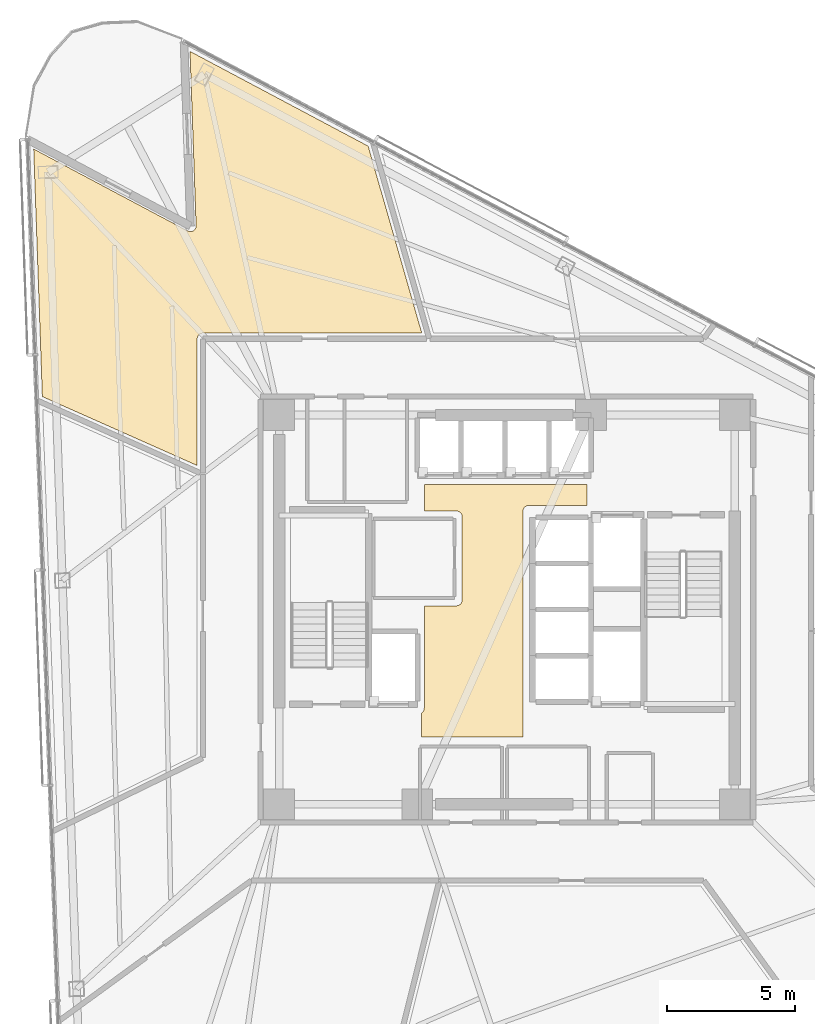
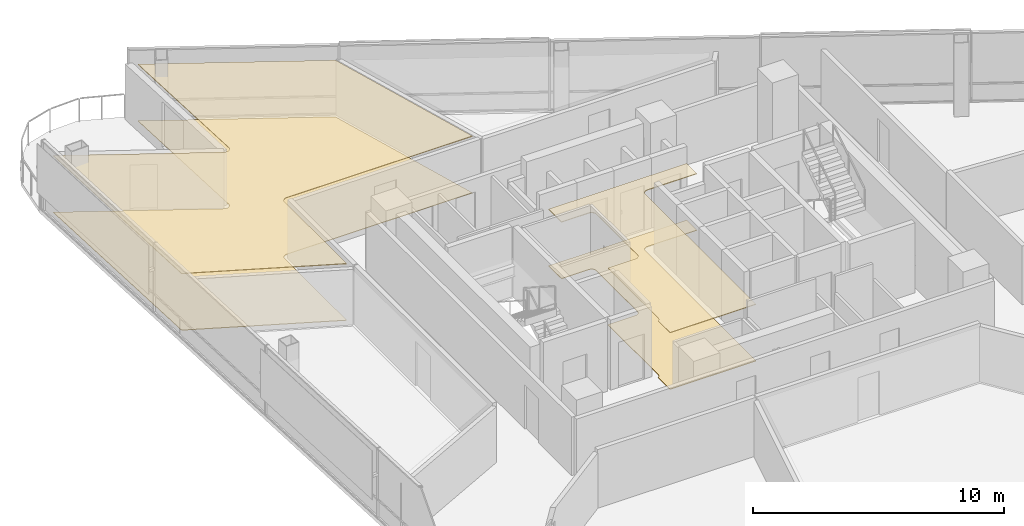
# One storey, part 19 of 21: 4 coverings.
"""IFC4 building model written with IfcOpenShell, lengths in metres."""

from ifc_helpers import new_model, si_unit, direction, frame, origin, place, context, subcontext, project, spatial, polyline, outline, extrude, material, layer, layer_set, type_object, element, save


model = new_model("IFC4")

# Units and contexts
model_context = context("Model", 3, precision=1e-05, world=origin(), true_north=direction((0.0, 1.0)))
body_context = subcontext(model_context, "Body", "Model", "MODEL_VIEW")
ifc_project = project(units=[si_unit("LENGTHUNIT", "METRE"), si_unit("AREAUNIT", "SQUARE_METRE"), si_unit("VOLUMEUNIT", "CUBIC_METRE"), si_unit("PLANEANGLEUNIT", "RADIAN"), si_unit("MASSUNIT", "GRAM", prefix="KILO")], contexts=[model_context])

# Site, building, storey
site_placement = place(None, origin())
site = spatial("IfcSite", under=ifc_project, at=site_placement, CompositionType="ELEMENT")
building_placement = place(site_placement, origin())
building = spatial("IfcBuilding", under=site, at=building_placement, Name="Tharavind Bronze Gate", CompositionType="ELEMENT")
storey_placement = place(building_placement, frame((0.0, 0.0, 142.39990234375)))
storey = spatial("IfcBuildingStorey", under=building, at=storey_placement, Name="L36", CompositionType="ELEMENT", Elevation=142.39990234375)

# Coverings
ifc_material_1 = material(Name="Perforated Bronze Acoustic Panel", Category="bronze")
ifc_layer_1 = layer(ifc_material_1, 0.044921875)
ifc_layer_set_1 = layer_set([ifc_layer_1], Name="Perforated Bronze Acoustic Panel")
covering_type_1 = type_object("IfcCoveringType", Name="ACOUSTIC BRONZE BAFFLE CEILING", PredefinedType="CEILING", material=ifc_layer_set_1)
covering_1_placement = place(storey_placement, frame((0.0, 0.0, 2.75)))
element("IfcCovering", 1, at=covering_1_placement, inside=storey, type_object=covering_type_1, Name="L36-C-LL suspended ceiling", PredefinedType="CEILING", context=body_context, shape_type="SweptSolid", body=[
    extrude(outline(polyline([(-3.330078125, -4.97998046875), (0.6298828125, -4.97998046875), (0.6298828125, 3.85009765625), (0.631103515625, 3.87158203125), (0.63427734375, 3.892822265625), (0.639404296875, 3.913818359375), (0.646728515625, 3.93408203125), (0.656005859375, 3.95361328125), (0.6669921875, 3.97216796875), (0.679931640625, 3.989501953125), (0.6943359375, 4.005615234375), (0.71044921875, 4.02001953125), (0.727783203125, 4.032958984375), (0.746337890625, 4.0439453125), (0.765869140625, 4.05322265625), (0.7861328125, 4.060546875), (0.80712890625, 4.06591796875), (0.828369140625, 4.06884765625), (0.85009765625, 4.070068359375), (3.1298828125, 4.070068359375), (3.1298828125, 4.8798828125), (-3.22998046875, 4.8798828125), (-3.22998046875, 3.85009765625), (-1.969970703125, 3.85009765625), (-1.948486328125, 3.848876953125), (-1.927001953125, 3.845703125), (-1.906005859375, 3.840576171875), (-1.8857421875, 3.833251953125), (-1.8662109375, 3.823974609375), (-1.847900390625, 3.81298828125), (-1.830322265625, 3.800048828125), (-1.814453125, 3.78564453125), (-1.7998046875, 3.76953125), (-1.787109375, 3.752197265625), (-1.77587890625, 3.733642578125), (-1.7666015625, 3.714111328125), (-1.759521484375, 3.69384765625), (-1.754150390625, 3.6728515625), (-1.751220703125, 3.651611328125), (-1.75, 3.6298828125), (-1.75, 0.3701171875), (-1.751220703125, 0.348388671875), (-1.754150390625, 0.3271484375), (-1.759521484375, 0.30615234375), (-1.7666015625, 0.285888671875), (-1.77587890625, 0.266357421875), (-1.787109375, 0.247802734375), (-1.7998046875, 0.23046875), (-1.814453125, 0.21435546875), (-1.830322265625, 0.199951171875), (-1.847900390625, 0.18701171875), (-1.8662109375, 0.176025390625), (-1.8857421875, 0.166748046875), (-1.906005859375, 0.159423828125), (-1.927001953125, 0.154296875), (-1.948486328125, 0.151123046875), (-1.969970703125, 0.14990234375), (-3.22998046875, 0.14990234375), (-3.22998046875, -3.85009765625), (-3.231201171875, -3.87158203125), (-3.234130859375, -3.892822265625), (-3.239501953125, -3.913818359375), (-3.24658203125, -3.93408203125), (-3.256103515625, -3.95361328125), (-3.26708984375, -3.97216796875), (-3.27978515625, -3.989501953125), (-3.29443359375, -4.005615234375), (-3.310302734375, -4.02001953125), (-3.327880859375, -4.032958984375), (-3.330078125, -4.0341796875), (-3.330078125, -4.97998046875)])), origin(), (0.0, 0.0, 1.0), 0.03515625),
])
ifc_material_2 = material(Name="Engineered Oak & Carpet Tile", Category="wood")
ifc_layer_2 = layer(ifc_material_2, 0.02490234375)
ifc_layer_set_2 = layer_set([ifc_layer_2], Name="Engineered Oak & Carpet Tile")
covering_type_2 = type_object("IfcCoveringType", Name="ENGINEERED TIMBER FLOORING", PredefinedType="FLOORING", material=ifc_layer_set_2)
covering_2_placement = place(storey_placement, origin())
element("IfcCovering", 2, at=covering_2_placement, inside=storey, type_object=covering_type_2, Name="L36-RM-02 floor finish", PredefinedType="FLOORING", context=body_context, shape_type="SweptSolid", body=[
    extrude(outline(polyline([(-18.14892578125, 8.3212890625), (-12.10009765625, 5.628173828125), (-12.10009765625, 10.579345703125), (-12.099609375, 10.590087890625), (-12.099609375, 10.5908203125), (-12.09765625, 10.6123046875), (-12.093505859375, 10.63330078125), (-12.087158203125, 10.654052734375), (-12.078857421875, 10.674072265625), (-12.068603515625, 10.693115234375), (-12.056640625, 10.7109375), (-12.04296875, 10.727783203125), (-12.027587890625, 10.742919921875), (-12.010986328125, 10.756591796875), (-11.9931640625, 10.768798828125), (-11.97412109375, 10.77880859375), (-11.9541015625, 10.787109375), (-11.933349609375, 10.79345703125), (-11.912353515625, 10.797607421875), (-11.890869140625, 10.7998046875), (-11.89013671875, 10.7998046875), (-11.87939453125, 10.800048828125), (-3.32568359375, 10.800048828125), (-5.420654296875, 18.10595703125), (-12.380615234375, 21.806884765625), (-12.142822265625, 14.99267578125), (-12.142578125, 14.981689453125), (-12.142578125, 14.981201171875), (-12.14404296875, 14.959228515625), (-12.147705078125, 14.9375), (-12.1533203125, 14.91650390625), (-12.1611328125, 14.89599609375), (-12.1708984375, 14.876220703125), (-12.1826171875, 14.857666015625), (-12.1962890625, 14.84033203125), (-12.21142578125, 14.82470703125), (-12.22802734375, 14.810302734375), (-12.24609375, 14.7978515625), (-12.26513671875, 14.787109375), (-12.285400390625, 14.7783203125), (-12.30615234375, 14.771728515625), (-12.32763671875, 14.76708984375), (-12.349609375, 14.7646484375), (-12.371337890625, 14.764404296875), (-12.393310546875, 14.7666015625), (-12.414794921875, 14.7705078125), (-12.435791015625, 14.77685546875), (-12.4560546875, 14.78515625), (-12.45654296875, 14.785400390625), (-12.46630859375, 14.790283203125), (-18.486572265625, 17.991455078125), (-18.14892578125, 8.3212890625)])), origin(), (0.0, 0.0, 1.0), 0.025146484375),
])
ifc_material_3 = material(Name="Acoustic Gypsum Board", Category="gypsum")
ifc_layer_3 = layer(ifc_material_3, 0.030029296875)
ifc_layer_set_3 = layer_set([ifc_layer_3], Name="Acoustic Gypsum Board")
covering_type_3 = type_object("IfcCoveringType", Name="GYPSUM SUSPENDED CEILING", PredefinedType="CEILING", material=ifc_layer_set_3)
covering_3_placement = place(storey_placement, frame((0.0, 0.0, 2.75)))
element("IfcCovering", 3, at=covering_3_placement, inside=storey, type_object=covering_type_3, Name="L36-RM-02 suspended ceiling", PredefinedType="CEILING", context=body_context, shape_type="SweptSolid", body=[
    extrude(outline(polyline([(-18.14892578125, 8.3212890625), (-12.10009765625, 5.628173828125), (-12.10009765625, 10.579345703125), (-12.099609375, 10.590087890625), (-12.099609375, 10.5908203125), (-12.09765625, 10.6123046875), (-12.093505859375, 10.63330078125), (-12.087158203125, 10.654052734375), (-12.078857421875, 10.674072265625), (-12.068603515625, 10.693115234375), (-12.056640625, 10.7109375), (-12.04296875, 10.727783203125), (-12.027587890625, 10.742919921875), (-12.010986328125, 10.756591796875), (-11.9931640625, 10.768798828125), (-11.97412109375, 10.77880859375), (-11.9541015625, 10.787109375), (-11.933349609375, 10.79345703125), (-11.912353515625, 10.797607421875), (-11.890869140625, 10.7998046875), (-11.89013671875, 10.7998046875), (-11.87939453125, 10.800048828125), (-3.32568359375, 10.800048828125), (-5.420654296875, 18.10595703125), (-12.380615234375, 21.806884765625), (-12.142822265625, 14.99267578125), (-12.142578125, 14.981689453125), (-12.142578125, 14.981201171875), (-12.14404296875, 14.959228515625), (-12.147705078125, 14.9375), (-12.1533203125, 14.91650390625), (-12.1611328125, 14.89599609375), (-12.1708984375, 14.876220703125), (-12.1826171875, 14.857666015625), (-12.1962890625, 14.84033203125), (-12.21142578125, 14.82470703125), (-12.22802734375, 14.810302734375), (-12.24609375, 14.7978515625), (-12.26513671875, 14.787109375), (-12.285400390625, 14.7783203125), (-12.30615234375, 14.771728515625), (-12.32763671875, 14.76708984375), (-12.349609375, 14.7646484375), (-12.371337890625, 14.764404296875), (-12.393310546875, 14.7666015625), (-12.414794921875, 14.7705078125), (-12.435791015625, 14.77685546875), (-12.4560546875, 14.78515625), (-12.45654296875, 14.785400390625), (-12.46630859375, 14.790283203125), (-18.486572265625, 17.991455078125), (-18.14892578125, 8.3212890625)])), origin(), (0.0, 0.0, 1.0), 0.03515625),
])
ifc_material_4 = material(Name="Honed Travertine Limestone", Category="masonry")
ifc_layer_4 = layer(ifc_material_4, 0.030029296875)
ifc_layer_set_4 = layer_set([ifc_layer_4], Name="Honed Travertine Limestone")
covering_type_4 = type_object("IfcCoveringType", Name="HONED LIMESTONE FLOORING", PredefinedType="FLOORING", material=ifc_layer_set_4)
covering_4_placement = place(storey_placement, origin())
element("IfcCovering", 4, at=covering_4_placement, inside=storey, type_object=covering_type_4, Name="L36-C-LL floor finish", PredefinedType="FLOORING", context=body_context, shape_type="SweptSolid", body=[
    extrude(outline(polyline([(-3.330078125, -4.97998046875), (0.6298828125, -4.97998046875), (0.6298828125, 3.85009765625), (0.631103515625, 3.87158203125), (0.63427734375, 3.892822265625), (0.639404296875, 3.913818359375), (0.646728515625, 3.93408203125), (0.656005859375, 3.95361328125), (0.6669921875, 3.97216796875), (0.679931640625, 3.989501953125), (0.6943359375, 4.005615234375), (0.71044921875, 4.02001953125), (0.727783203125, 4.032958984375), (0.746337890625, 4.0439453125), (0.765869140625, 4.05322265625), (0.7861328125, 4.060546875), (0.80712890625, 4.06591796875), (0.828369140625, 4.06884765625), (0.85009765625, 4.070068359375), (3.1298828125, 4.070068359375), (3.1298828125, 4.8798828125), (-3.22998046875, 4.8798828125), (-3.22998046875, 3.85009765625), (-1.969970703125, 3.85009765625), (-1.948486328125, 3.848876953125), (-1.927001953125, 3.845703125), (-1.906005859375, 3.840576171875), (-1.8857421875, 3.833251953125), (-1.8662109375, 3.823974609375), (-1.847900390625, 3.81298828125), (-1.830322265625, 3.800048828125), (-1.814453125, 3.78564453125), (-1.7998046875, 3.76953125), (-1.787109375, 3.752197265625), (-1.77587890625, 3.733642578125), (-1.7666015625, 3.714111328125), (-1.759521484375, 3.69384765625), (-1.754150390625, 3.6728515625), (-1.751220703125, 3.651611328125), (-1.75, 3.6298828125), (-1.75, 0.3701171875), (-1.751220703125, 0.348388671875), (-1.754150390625, 0.3271484375), (-1.759521484375, 0.30615234375), (-1.7666015625, 0.285888671875), (-1.77587890625, 0.266357421875), (-1.787109375, 0.247802734375), (-1.7998046875, 0.23046875), (-1.814453125, 0.21435546875), (-1.830322265625, 0.199951171875), (-1.847900390625, 0.18701171875), (-1.8662109375, 0.176025390625), (-1.8857421875, 0.166748046875), (-1.906005859375, 0.159423828125), (-1.927001953125, 0.154296875), (-1.948486328125, 0.151123046875), (-1.969970703125, 0.14990234375), (-3.22998046875, 0.14990234375), (-3.22998046875, -3.85009765625), (-3.231201171875, -3.87158203125), (-3.234130859375, -3.892822265625), (-3.239501953125, -3.913818359375), (-3.24658203125, -3.93408203125), (-3.256103515625, -3.95361328125), (-3.26708984375, -3.97216796875), (-3.27978515625, -3.989501953125), (-3.29443359375, -4.005615234375), (-3.310302734375, -4.02001953125), (-3.327880859375, -4.032958984375), (-3.330078125, -4.0341796875), (-3.330078125, -4.97998046875)])), origin(), (0.0, 0.0, 1.0), 0.025146484375),
])

save(model, "model.ifc")
